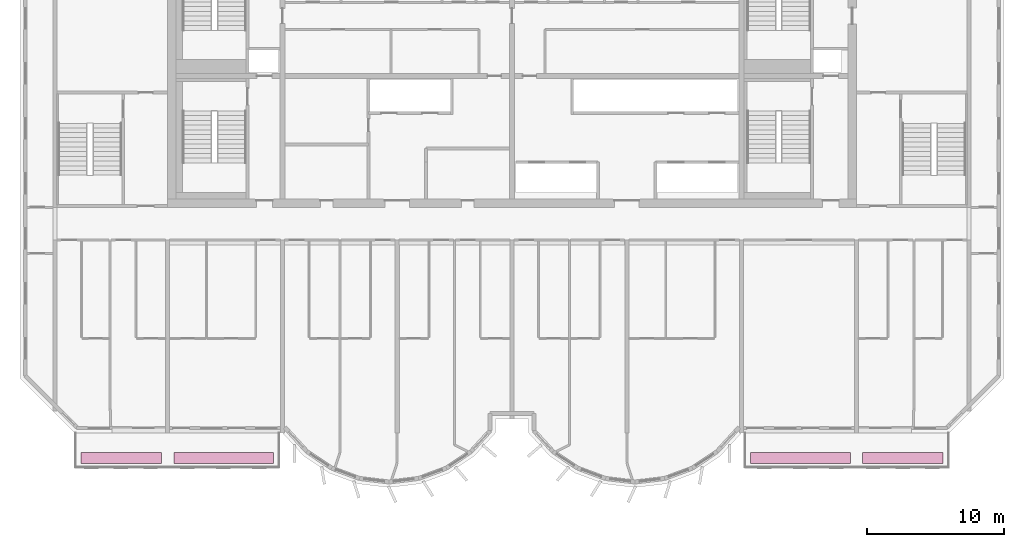
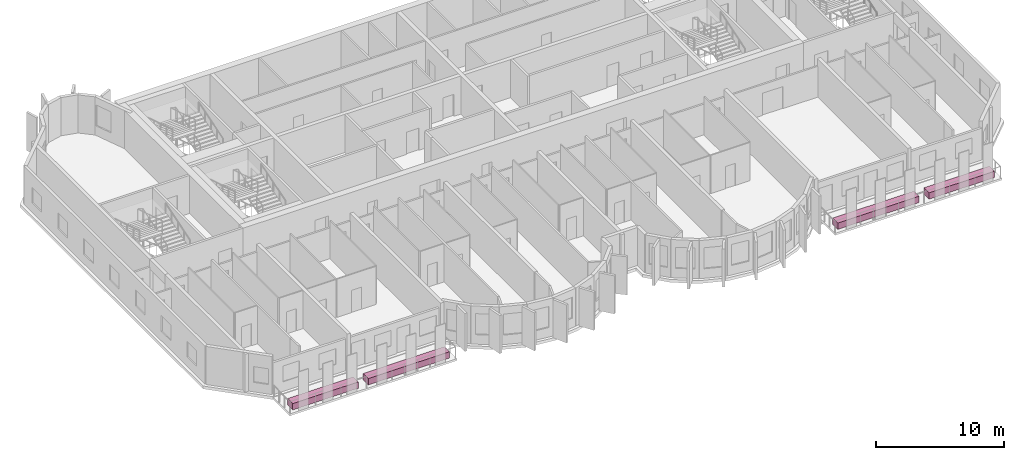
# One storey, part 11 of 11: 4 furniture elements.
"""IFC4 building model written with IfcOpenShell, lengths in metres."""

from ifc_helpers import new_model, si_unit, direction, frame, origin, origin_2d, place, context, subcontext, project, spatial, rectangle, extrude, source, transform, mapped, material, type_object, element, save


model = new_model("IFC4")

# Units and contexts
model_context = context("Model", 3, precision=1e-05, world=origin(), true_north=direction((0.0, 1.0)))
body_context = subcontext(model_context, "Body", "Model", "MODEL_VIEW")
ifc_project = project(units=[si_unit("LENGTHUNIT", "METRE"), si_unit("AREAUNIT", "SQUARE_METRE"), si_unit("VOLUMEUNIT", "CUBIC_METRE"), si_unit("PLANEANGLEUNIT", "RADIAN"), si_unit("MASSUNIT", "GRAM", prefix="KILO")], contexts=[model_context])

# Site, building, storey
site_placement = place(None, origin())
site = spatial("IfcSite", under=ifc_project, at=site_placement, CompositionType="ELEMENT")
building_placement = place(site_placement, origin())
building = spatial("IfcBuilding", under=site, at=building_placement, Name="Vanashikhar Sky Hotel", CompositionType="ELEMENT")
storey_placement = place(building_placement, frame((0.0, 0.0, 225.699951171875)))
storey = spatial("IfcBuildingStorey", under=building, at=storey_placement, Name="L54", CompositionType="ELEMENT", Elevation=225.699951171875)

# Furniture
ifc_material = material(Name="Planting soil and shrubs")
furniture_type = type_object("IfcFurnitureType", Name="Planter trough", AssemblyPlace="NOTDEFINED", PredefinedType="USERDEFINED", material=ifc_material)
shared_shape_1 = source(origin(), body_context, "Body", "SweptSolid", [
    extrude(rectangle(XDim=7.300048828125, YDim=0.800048828125, at=origin_2d()), origin(), (0.0, 0.0, 1.0), 0.60009765625),
])
for number, where, z_axis, x_axis, name in (
    (1, (29.300048828125, 3.64990234375, -0.050048828125), (0.0, 0.0, 1.0), (1.0, 0.0, 0.0), "PLANTER with climbers"),
    (2, (71.5, 3.64990234375, -0.050048828125), (0.0, 0.0, 1.0), (1.0, 0.0, 0.0), "PLANTER with climbers"),
):
    element("IfcFurniture", number, at=place(storey_placement, frame(where, z_axis=z_axis, x_axis=x_axis)), inside=storey, type_object=furniture_type, Name=name, ObjectType="PLANTER", PredefinedType="USERDEFINED", context=body_context, shape_type="MappedRepresentation", body=[
        mapped(shared_shape_1, transform((0.0, 0.0, 0.0), scale=1.0)),
    ])
shared_shape_2 = source(origin(), body_context, "Body", "SweptSolid", [
    extrude(rectangle(XDim=5.89990234375, YDim=0.800048828125, at=origin_2d()), origin(), (0.0, 0.0, 1.0), 0.60009765625),
])
for number, where, z_axis, x_axis, name in (
    (3, (21.800048828125, 3.64990234375, -0.050048828125), (0.0, 0.0, 1.0), (1.0, 0.0, 0.0), "PLANTER with climbers"),
    (4, (79.0, 3.64990234375, -0.050048828125), (0.0, 0.0, 1.0), (1.0, 0.0, 0.0), "PLANTER with climbers"),
):
    element("IfcFurniture", number, at=place(storey_placement, frame(where, z_axis=z_axis, x_axis=x_axis)), inside=storey, type_object=furniture_type, Name=name, ObjectType="PLANTER", PredefinedType="USERDEFINED", context=body_context, shape_type="MappedRepresentation", body=[
        mapped(shared_shape_2, transform((0.0, 0.0, 0.0), scale=1.0)),
    ])

save(model, "model.ifc")
